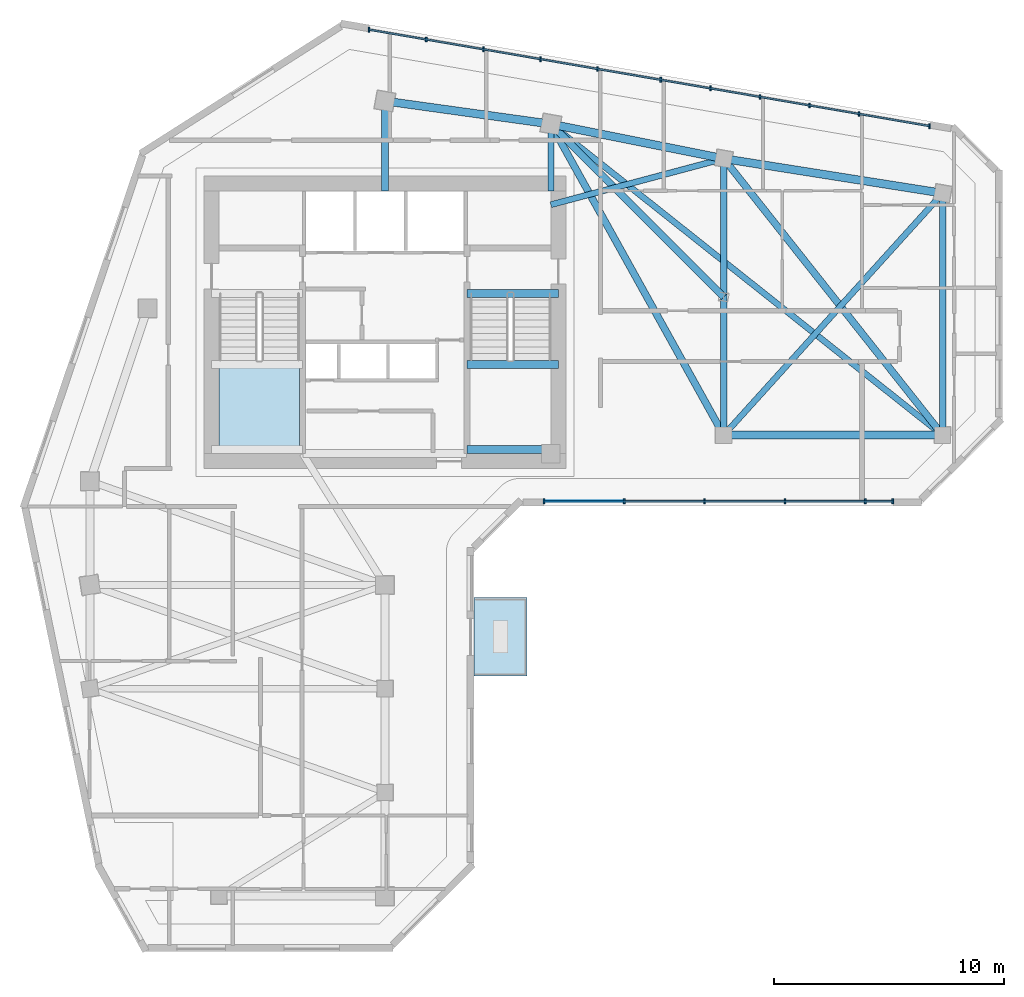
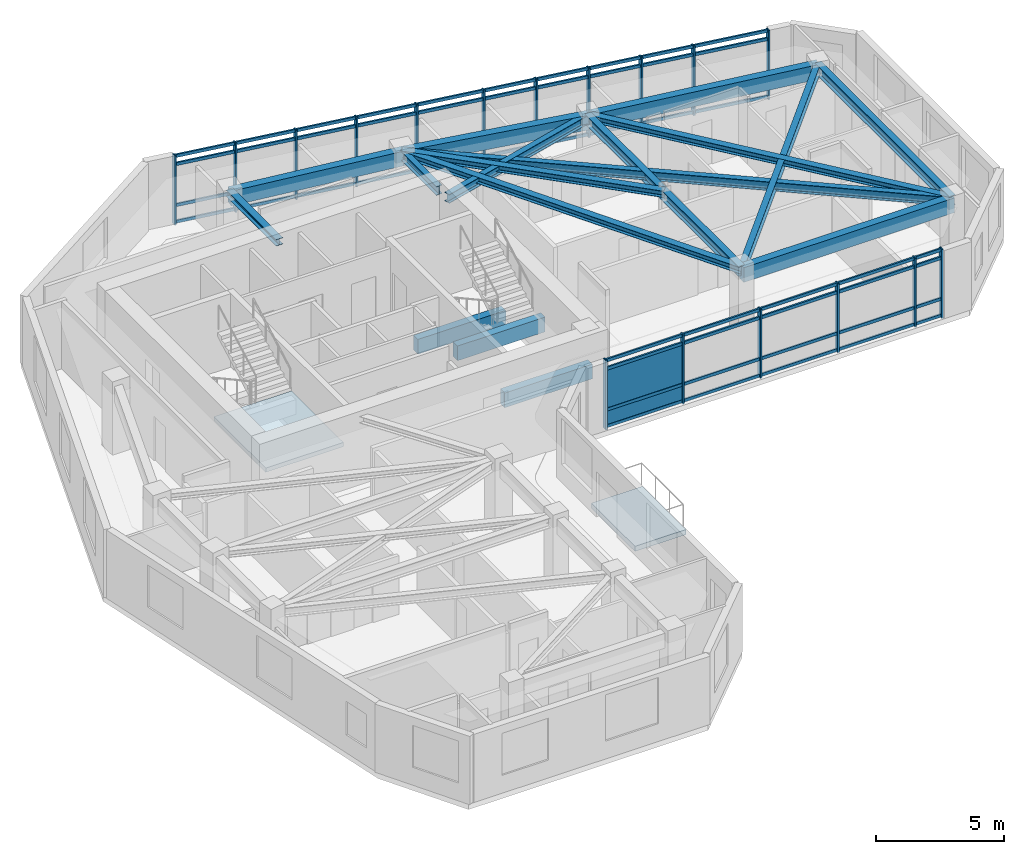
# One storey, part 2 of 10: 25 members, 17 beams, 2 plates, 2 slabs, 3 elements without a shape of their own.
"""IFC4 building model written with IfcOpenShell, lengths in metres."""

from ifc_helpers import new_model, si_unit, direction, frame, frame_2d, origin, origin_2d, place, context, subcontext, project, spatial, polyline, rectangle, i_section, outline, extrude, source, transform, mapped, material, layer, layer_set, material_profile, profile_set, type_object, element, aggregate, save


model = new_model("IFC4")

# Units and contexts
model_context = context("Model", 3, precision=1e-05, world=origin(), true_north=direction((0.0, 1.0)))
body_context = subcontext(model_context, "Body", "Model", "MODEL_VIEW")
ifc_project = project(units=[si_unit("LENGTHUNIT", "METRE"), si_unit("AREAUNIT", "SQUARE_METRE"), si_unit("VOLUMEUNIT", "CUBIC_METRE"), si_unit("PLANEANGLEUNIT", "RADIAN"), si_unit("MASSUNIT", "GRAM", prefix="KILO")], contexts=[model_context])

# Site, building, storey
site_placement = place(None, origin())
site = spatial("IfcSite", under=ifc_project, at=site_placement, CompositionType="ELEMENT")
building_placement = place(site_placement, origin())
building = spatial("IfcBuilding", under=site, at=building_placement, Name="Calvemar Wedge Station Tower", CompositionType="ELEMENT")
storey_placement = place(building_placement, frame((0.0, 0.0, 200.89990234375)))
storey = spatial("IfcBuildingStorey", under=building, at=storey_placement, Name="L50", CompositionType="ELEMENT", Elevation=200.89990234375)

# Beams
ifc_material_1 = material(Name="Structural steel ASTM A572 Grade 50", Category="steel")
ifc_material_profile_1 = material_profile(ifc_material_1, i_section(OverallWidth=0.304931640625, OverallDepth=0.30810546875, WebThickness=0.010009765625, FlangeThickness=0.015380859375, FilletRadius=0.014892578125, at=origin_2d()), Name="W310x97")
ifc_profile_set_1 = profile_set([ifc_material_profile_1], Name="Structural steel ASTM A572 Grade 50")
beam_type_1 = type_object("IfcBeamType", Name="BM-J6-W310", PredefinedType="JOIST", material=ifc_profile_set_1)
shared_shape_1 = source(origin(), body_context, "Body", "SweptSolid", [
    extrude(i_section(OverallWidth=0.304931640625, OverallDepth=0.30810546875, WebThickness=0.010009765625, FlangeThickness=0.015380859375, FilletRadius=0.014892578125, at=origin_2d()), origin(), (0.0, 0.0, 1.0), 15.443359375),
])
beam_1_placement = place(storey_placement, frame((31.0, 48.5, 3.09619140625), z_axis=(0.485642931179, -0.874157276122, 0.0), x_axis=(0.874157276122, 0.485642931179, 0.0)))
element("IfcBeam", 1, at=beam_1_placement, inside=storey, type_object=beam_type_1, Name="Storey L50 Floor Beam T-N2-T-NL2", PredefinedType="JOIST", context=body_context, shape_type="MappedRepresentation", body=[
    mapped(shared_shape_1, transform((0.0, 0.0, 0.0), scale=1.0)),
])
ifc_material_profile_2 = material_profile(ifc_material_1, i_section(OverallWidth=0.260986328125, OverallDepth=0.419921875, WebThickness=0.01171875, FlangeThickness=0.019287109375, FilletRadius=0.012939453125, at=origin_2d()), Name="W410x114")
ifc_profile_set_2 = profile_set([ifc_material_profile_2], Name="Structural steel ASTM A572 Grade 50")
beam_type_2 = type_object("IfcBeamType", Name="BM-J2-W410H", PredefinedType="JOIST", material=ifc_profile_set_2)
shared_shape_2 = source(origin(), body_context, "Body", "SweptSolid", [
    extrude(i_section(OverallWidth=0.260986328125, OverallDepth=0.419921875, WebThickness=0.01171875, FlangeThickness=0.019287109375, FilletRadius=0.012939453125, at=origin_2d()), origin(), (0.0, 0.0, 1.0), 21.708251953125),
])
beam_2_placement = place(storey_placement, frame((31.0, 48.5, 3.0400390625), z_axis=(0.783110847498, -0.621882143602, 0.0), x_axis=(0.621882143602, 0.783110847498, 0.0)))
element("IfcBeam", 2, at=beam_2_placement, inside=storey, type_object=beam_type_2, Name="Storey L50 Floor Beam T-N2-T-NL3", PredefinedType="JOIST", context=body_context, shape_type="MappedRepresentation", body=[
    mapped(shared_shape_2, transform((0.0, 0.0, 0.0), scale=1.0)),
])
shared_shape_3 = source(origin(), body_context, "Body", "SweptSolid", [
    extrude(i_section(OverallWidth=0.304931640625, OverallDepth=0.30810546875, WebThickness=0.010009765625, FlangeThickness=0.015380859375, FilletRadius=0.014892578125, at=origin_2d()), origin(), (0.0, 0.0, 1.0), 15.30517578125),
])
beam_3_placement = place(storey_placement, frame((38.5, 47.0, 3.09619140625), z_axis=(0.620702944366, -0.784045824462, 0.0), x_axis=(0.784045824462, 0.620702944366, 0.0)))
element("IfcBeam", 3, at=beam_3_placement, inside=storey, type_object=beam_type_1, Name="Storey L50 Floor Beam T-NU3-T-NL3", PredefinedType="JOIST", context=body_context, shape_type="MappedRepresentation", body=[
    mapped(shared_shape_3, transform((0.0, 0.0, 0.0), scale=1.0)),
])
shared_shape_4 = source(origin(), body_context, "Body", "SweptSolid", [
    extrude(i_section(OverallWidth=0.260986328125, OverallDepth=0.419921875, WebThickness=0.01171875, FlangeThickness=0.019287109375, FilletRadius=0.012939453125, at=origin_2d()), origin(), (0.0, 0.0, 1.0), 14.159912109375),
])
beam_4_placement = place(storey_placement, frame((38.5, 35.0, 3.0400390625), z_axis=(0.670913323969, 0.741535779124, 0.0), x_axis=(-0.741535779124, 0.670913323969, 0.0)))
element("IfcBeam", 4, at=beam_4_placement, inside=storey, type_object=beam_type_2, Name="Storey L50 Floor Beam T-NL2-T-NU4", PredefinedType="JOIST", context=body_context, shape_type="MappedRepresentation", body=[
    mapped(shared_shape_4, transform((0.0, 0.0, 0.0), scale=1.0)),
])
shared_shape_5 = source(origin(), body_context, "Body", "SweptSolid", [
    extrude(i_section(OverallWidth=0.260986328125, OverallDepth=0.419921875, WebThickness=0.01171875, FlangeThickness=0.019287109375, FilletRadius=0.012939453125, at=origin_2d()), origin(), (0.0, 0.0, 1.0), 7.76220703125),
])
beam_5_placement = place(storey_placement, frame((31.0, 45.0, 3.0400390625), z_axis=(0.966234939601, 0.25766265056, 0.0), x_axis=(-0.25766265056, 0.966234939601, 0.0)))
element("IfcBeam", 5, at=beam_5_placement, inside=storey, type_object=beam_type_2, Name="Storey L50 Core-to-Column Joist CJ-E2", PredefinedType="JOIST", context=body_context, shape_type="MappedRepresentation", body=[
    mapped(shared_shape_5, transform((0.0, 0.0, 0.0), scale=1.0)),
])
shared_shape_6 = source(origin(), body_context, "Body", "SweptSolid", [
    extrude(i_section(OverallWidth=0.304931640625, OverallDepth=0.30810546875, WebThickness=0.010009765625, FlangeThickness=0.015380859375, FilletRadius=0.014892578125, at=origin_2d()), origin(), (0.0, 0.0, 1.0), 3.89990234375),
])
beam_6_placement = place(storey_placement, frame((23.800048828125, 45.60009765625, 3.09619140625), z_axis=(0.0, 1.0, 0.0), x_axis=(-1.0, 0.0, 0.0)))
element("IfcBeam", 6, at=beam_6_placement, inside=storey, type_object=beam_type_1, Name="Storey L50 Core-to-Column Joist CJ-N1", PredefinedType="JOIST", context=body_context, shape_type="MappedRepresentation", body=[
    mapped(shared_shape_6, transform((0.0, 0.0, 0.0), scale=1.0)),
])
shared_shape_7 = source(origin(), body_context, "Body", "SweptSolid", [
    extrude(i_section(OverallWidth=0.260986328125, OverallDepth=0.419921875, WebThickness=0.01171875, FlangeThickness=0.019287109375, FilletRadius=0.012939453125, at=origin_2d()), origin(), (0.0, 0.0, 1.0), 2.89990234375),
])
beam_7_placement = place(storey_placement, frame((31.0, 45.60009765625, 3.0400390625), z_axis=(0.0, 1.0, 0.0), x_axis=(-1.0, 0.0, 0.0)))
element("IfcBeam", 7, at=beam_7_placement, inside=storey, type_object=beam_type_2, Name="Storey L50 Core-to-Column Joist CJ-N2", PredefinedType="JOIST", context=body_context, shape_type="MappedRepresentation", body=[
    mapped(shared_shape_7, transform((0.0, 0.0, 0.0), scale=1.0)),
])
shared_shape_8 = source(origin(), body_context, "Body", "SweptSolid", [
    extrude(i_section(OverallWidth=0.304931640625, OverallDepth=0.30810546875, WebThickness=0.010009765625, FlangeThickness=0.015380859375, FilletRadius=0.014892578125, at=origin_2d()), origin(), (0.0, 0.0, 1.0), 10.606689453125),
])
beam_8_placement = place(storey_placement, frame((38.5, 41.0, 3.09619140625), z_axis=(-0.707106781187, 0.707106781187, 0.0), x_axis=(-0.707106781187, -0.707106781187, 0.0)))
element("IfcBeam", 8, at=beam_8_placement, inside=storey, type_object=beam_type_1, Name="Storey L50 Floor Beam T-NTIP-B-T-N2", PredefinedType="JOIST", context=body_context, shape_type="MappedRepresentation", body=[
    mapped(shared_shape_8, transform((0.0, 0.0, 0.0), scale=1.0)),
])
ifc_material_2 = material(Name="Concrete C70", Category="concrete")
ifc_material_profile_3 = material_profile(ifc_material_2, rectangle(XDim=0.35009765625, YDim=0.699951171875, at=origin_2d()), Name="RC350x700")
ifc_profile_set_3 = profile_set([ifc_material_profile_3], Name="Concrete C70")
beam_type_3 = type_object("IfcBeamType", Name="BM-LN1-700", PredefinedType="LINTEL", material=ifc_profile_set_3)
shared_shape_9 = source(origin(), body_context, "Body", "SweptSolid", [
    extrude(rectangle(XDim=0.35009765625, YDim=0.699951171875, at=origin_2d()), origin(), (0.0, 0.0, 1.0), 3.954833984375),
])
for number, where, z_axis, x_axis, name in (
    (9, (27.3701171875, 41.14990234375, -0.349853515625), (1.0, 0.0, 0.0), (0.0, 1.0, 0.0), "Storey L50 Stair ST-C2 Landing Trimmer Beam"),
    (10, (27.3701171875, 34.3798828125, 1.2001953125), (1.0, 0.0, 0.0), (0.0, 1.0, 0.0), "Storey L50 Stair ST-C2 Half-Landing Beam 1A"),
    (11, (27.3701171875, 38.070068359375, 1.2001953125), (1.0, 0.0, 0.0), (0.0, 1.0, 0.0), "Storey L50 Stair ST-C2 Half-Landing Beam 1B"),
):
    element("IfcBeam", number, at=place(storey_placement, frame(where, z_axis=z_axis, x_axis=x_axis)), inside=storey, type_object=beam_type_3, Name=name, PredefinedType="LINTEL", context=body_context, shape_type="MappedRepresentation", body=[
        mapped(shared_shape_9, transform((0.0, 0.0, 0.0), scale=1.0)),
    ])
ifc_material_3 = material(Name="Concrete C50", Category="concrete")
ifc_material_profile_4 = material_profile(ifc_material_3, rectangle(XDim=0.35009765625, YDim=0.699951171875, at=origin_2d()), Name="RC350x700")
ifc_profile_set_4 = profile_set([ifc_material_profile_4], Name="Concrete C50")
beam_type_4 = type_object("IfcBeamType", Name="BM-SP2-700", PredefinedType="SPANDREL", material=ifc_profile_set_4)
shared_shape_10 = source(origin(), body_context, "Body", "SweptSolid", [
    extrude(rectangle(XDim=0.35009765625, YDim=0.699951171875, at=origin_2d()), origin(), (0.0, 0.0, 1.0), 7.26904296875),
])
beam_9_placement = place(storey_placement, frame((23.800048828125, 49.5, 2.900146484375), z_axis=(0.990492146053, -0.13756928657, 0.0), x_axis=(0.13756928657, 0.990492146053, 0.0)))
element("IfcBeam", 12, at=beam_9_placement, inside=storey, type_object=beam_type_4, Name="Storey L50 Spandrel T-N1-T-N2", PredefinedType="SPANDREL", context=body_context, shape_type="MappedRepresentation", body=[
    mapped(shared_shape_10, transform((0.0, 0.0, 0.0), scale=1.0)),
])
shared_shape_11 = source(origin(), body_context, "Body", "SweptSolid", [
    extrude(rectangle(XDim=0.35009765625, YDim=0.699951171875, at=origin_2d()), origin(), (0.0, 0.0, 1.0), 7.6484375),
])
beam_10_placement = place(storey_placement, frame((31.0, 48.5, 2.900146484375), z_axis=(0.980580675691, -0.196116135138, 0.0), x_axis=(0.196116135138, 0.980580675691, 0.0)))
element("IfcBeam", 13, at=beam_10_placement, inside=storey, type_object=beam_type_4, Name="Storey L50 Spandrel T-N2-T-NU3", PredefinedType="SPANDREL", context=body_context, shape_type="MappedRepresentation", body=[
    mapped(shared_shape_11, transform((0.0, 0.0, 0.0), scale=1.0)),
])
shared_shape_12 = source(origin(), body_context, "Body", "SweptSolid", [
    extrude(rectangle(XDim=0.35009765625, YDim=0.699951171875, at=origin_2d()), origin(), (0.0, 0.0, 1.0), 9.61767578125),
])
beam_11_placement = place(storey_placement, frame((38.5, 47.0, 2.900146484375), z_axis=(0.987762965329, -0.155962573473, 0.0), x_axis=(0.155962573473, 0.987762965329, 0.0)))
element("IfcBeam", 14, at=beam_11_placement, inside=storey, type_object=beam_type_4, Name="Storey L50 Spandrel T-NU3-T-NU4", PredefinedType="SPANDREL", context=body_context, shape_type="MappedRepresentation", body=[
    mapped(shared_shape_12, transform((0.0, 0.0, 0.0), scale=1.0)),
])
shared_shape_13 = source(origin(), body_context, "Body", "SweptSolid", [
    extrude(rectangle(XDim=0.35009765625, YDim=0.699951171875, at=origin_2d()), origin(), (0.0, 0.0, 1.0), 9.5),
])
beam_12_placement = place(storey_placement, frame((38.5, 35.0, 2.900146484375), z_axis=(1.0, 0.0, 0.0), x_axis=(0.0, 1.0, 0.0)))
element("IfcBeam", 15, at=beam_12_placement, inside=storey, type_object=beam_type_4, Name="Storey L50 Spandrel T-NL2-T-NL3", PredefinedType="SPANDREL", context=body_context, shape_type="MappedRepresentation", body=[
    mapped(shared_shape_13, transform((0.0, 0.0, 0.0), scale=1.0)),
])
ifc_material_profile_5 = material_profile(ifc_material_1, i_section(OverallWidth=0.283935546875, OverallDepth=0.47607421875, WebThickness=0.014892578125, FlangeThickness=0.02392578125, FilletRadius=0.014892578125, at=origin_2d()), Name="W460x158")
ifc_profile_set_5 = profile_set([ifc_material_profile_5], Name="Structural steel ASTM A572 Grade 50")
beam_type_5 = type_object("IfcBeamType", Name="BM-SB5-W460H", PredefinedType="BEAM", material=ifc_profile_set_5)
shared_shape_14 = source(origin(), body_context, "Body", "SweptSolid", [
    extrude(i_section(OverallWidth=0.283935546875, OverallDepth=0.47607421875, WebThickness=0.014892578125, FlangeThickness=0.02392578125, FilletRadius=0.014892578125, at=origin_2d()), origin(), (0.0, 0.0, 1.0), 12.0),
])
beam_13_placement = place(storey_placement, frame((38.5, 47.0, 3.01220703125), z_axis=(0.0, -1.0, 0.0), x_axis=(1.0, 0.0, 0.0)))
element("IfcBeam", 16, at=beam_13_placement, inside=storey, type_object=beam_type_5, Name="Storey L50 Floor Beam T-NU3-T-NL2", PredefinedType="BEAM", context=body_context, shape_type="MappedRepresentation", body=[
    mapped(shared_shape_14, transform((0.0, 0.0, 0.0), scale=1.0)),
])
shared_shape_15 = source(origin(), body_context, "Body", "SweptSolid", [
    extrude(i_section(OverallWidth=0.283935546875, OverallDepth=0.47607421875, WebThickness=0.014892578125, FlangeThickness=0.02392578125, FilletRadius=0.014892578125, at=origin_2d()), origin(), (0.0, 0.0, 1.0), 10.5),
])
beam_14_placement = place(storey_placement, frame((48.0, 45.5, 3.01220703125), z_axis=(0.0, -1.0, 0.0), x_axis=(1.0, 0.0, 0.0)))
element("IfcBeam", 17, at=beam_14_placement, inside=storey, type_object=beam_type_5, Name="Storey L50 Floor Beam T-NU4-T-NL3", PredefinedType="BEAM", context=body_context, shape_type="MappedRepresentation", body=[
    mapped(shared_shape_15, transform((0.0, 0.0, 0.0), scale=1.0)),
])

# Curtain wall, members
ifc_material_4 = material(Name="Anodised aluminium 6063-T6", Category="aluminium")
curtain_wall_type = type_object("IfcCurtainWallType", Name="CW3", PredefinedType="NOTDEFINED", material=ifc_material_4)
curtain_wall_1_placement = place(storey_placement, origin())
curtain_wall_1 = element("IfcCurtainWall", 18, at=curtain_wall_1_placement, inside=storey, type_object=curtain_wall_type, Name="Storey L50 CW3 Recessed Unitised Curtain Wall 6", PredefinedType="NOTDEFINED")
ifc_material_profile_6 = material_profile(ifc_material_4, rectangle(XDim=0.074951171875, YDim=0.2099609375, at=origin_2d()), Name="AL-MUL-75x210")
ifc_profile_set_6 = profile_set([ifc_material_profile_6], Name="Anodised aluminium 6063-T6")
member_type_1 = type_object("IfcMemberType", Name="CW3-MUL", PredefinedType="MULLION", material=ifc_profile_set_6)
shared_shape_16 = source(origin(), body_context, "Body", "SweptSolid", [
    extrude(rectangle(XDim=0.074951171875, YDim=0.2099609375, at=origin_2d()), origin(), (0.0, 0.0, 1.0), 3.2998046875),
])
member_1_placement = place(storey_placement, frame((30.701904296875, 32.134033203125, -0.0498046875), z_axis=(0.0, 0.0, 1.0), x_axis=(1.0, 0.0, 0.0)))
member_1 = element("IfcMember", 19, at=member_1_placement, type_object=member_type_1, Name="CW3 mullion 1", PredefinedType="MULLION", context=body_context, shape_type="MappedRepresentation", body=[
    mapped(shared_shape_16, transform((0.0, 0.0, 0.0), scale=1.0)),
])
member_2_placement = place(storey_placement, frame((34.186279296875, 32.134033203125, -0.0498046875), z_axis=(0.0, 0.0, 1.0), x_axis=(1.0, 0.0, 0.0)))
member_2 = element("IfcMember", 20, at=member_2_placement, type_object=member_type_1, Name="CW3 mullion 2", PredefinedType="MULLION", context=body_context, shape_type="MappedRepresentation", body=[
    mapped(shared_shape_16, transform((0.0, 0.0, 0.0), scale=1.0)),
])
member_3_placement = place(storey_placement, frame((37.6708984375, 32.134033203125, -0.0498046875), z_axis=(0.0, 0.0, 1.0), x_axis=(1.0, 0.0, 0.0)))
member_3 = element("IfcMember", 21, at=member_3_placement, type_object=member_type_1, Name="CW3 mullion 3", PredefinedType="MULLION", context=body_context, shape_type="MappedRepresentation", body=[
    mapped(shared_shape_16, transform((0.0, 0.0, 0.0), scale=1.0)),
])
member_4_placement = place(storey_placement, frame((41.155517578125, 32.134033203125, -0.0498046875), z_axis=(0.0, 0.0, 1.0), x_axis=(1.0, 0.0, 0.0)))
member_4 = element("IfcMember", 22, at=member_4_placement, type_object=member_type_1, Name="CW3 mullion 4", PredefinedType="MULLION", context=body_context, shape_type="MappedRepresentation", body=[
    mapped(shared_shape_16, transform((0.0, 0.0, 0.0), scale=1.0)),
])
member_5_placement = place(storey_placement, frame((44.639892578125, 32.134033203125, -0.0498046875), z_axis=(0.0, 0.0, 1.0), x_axis=(1.0, 0.0, 0.0)))
member_5 = element("IfcMember", 23, at=member_5_placement, type_object=member_type_1, Name="CW3 mullion 5", PredefinedType="MULLION", context=body_context, shape_type="MappedRepresentation", body=[
    mapped(shared_shape_16, transform((0.0, 0.0, 0.0), scale=1.0)),
])
member_6_placement = place(storey_placement, frame((45.837890625, 32.134033203125, -0.0498046875), z_axis=(0.0, 0.0, 1.0), x_axis=(1.0, 0.0, 0.0)))
member_6 = element("IfcMember", 24, at=member_6_placement, type_object=member_type_1, Name="CW3 mullion 6", PredefinedType="MULLION", context=body_context, shape_type="MappedRepresentation", body=[
    mapped(shared_shape_16, transform((0.0, 0.0, 0.0), scale=1.0)),
])

curtain_wall_2_placement = place(storey_placement, origin())
curtain_wall_2 = element("IfcCurtainWall", 25, at=curtain_wall_2_placement, inside=storey, type_object=curtain_wall_type, Name="Storey L50 CW3 Recessed Unitised Curtain Wall 10", PredefinedType="NOTDEFINED")
member_7_placement = place(storey_placement, frame((47.433349609375, 48.41162109375, -0.0498046875), z_axis=(0.0, 0.0, 1.0), x_axis=(1.0, 0.0, 0.0)))
member_7 = element("IfcMember", 26, at=member_7_placement, type_object=member_type_1, Name="CW3 mullion 1", PredefinedType="MULLION", context=body_context, shape_type="MappedRepresentation", body=[
    mapped(shared_shape_16, transform((0.0, 0.0, 0.0), scale=1.0)),
])
member_8_placement = place(storey_placement, frame((44.371337890625, 48.9384765625, -0.0498046875), z_axis=(0.0, 0.0, 1.0), x_axis=(1.0, 0.0, 0.0)))
member_8 = element("IfcMember", 27, at=member_8_placement, type_object=member_type_1, Name="CW3 mullion 2", PredefinedType="MULLION", context=body_context, shape_type="MappedRepresentation", body=[
    mapped(shared_shape_16, transform((0.0, 0.0, 0.0), scale=1.0)),
])
member_9_placement = place(storey_placement, frame((42.221435546875, 49.30810546875, -0.0498046875), z_axis=(0.0, 0.0, 1.0), x_axis=(1.0, 0.0, 0.0)))
member_9 = element("IfcMember", 28, at=member_9_placement, type_object=member_type_1, Name="CW3 mullion 3", PredefinedType="MULLION", context=body_context, shape_type="MappedRepresentation", body=[
    mapped(shared_shape_16, transform((0.0, 0.0, 0.0), scale=1.0)),
])
member_10_placement = place(storey_placement, frame((40.0712890625, 49.677978515625, -0.0498046875), z_axis=(0.0, 0.0, 1.0), x_axis=(1.0, 0.0, 0.0)))
member_10 = element("IfcMember", 29, at=member_10_placement, type_object=member_type_1, Name="CW3 mullion 4", PredefinedType="MULLION", context=body_context, shape_type="MappedRepresentation", body=[
    mapped(shared_shape_16, transform((0.0, 0.0, 0.0), scale=1.0)),
])
member_11_placement = place(storey_placement, frame((37.92138671875, 50.048095703125, -0.0498046875), z_axis=(0.0, 0.0, 1.0), x_axis=(1.0, 0.0, 0.0)))
member_11 = element("IfcMember", 30, at=member_11_placement, type_object=member_type_1, Name="CW3 mullion 5", PredefinedType="MULLION", context=body_context, shape_type="MappedRepresentation", body=[
    mapped(shared_shape_16, transform((0.0, 0.0, 0.0), scale=1.0)),
])
member_12_placement = place(storey_placement, frame((35.771240234375, 50.417724609375, -0.0498046875), z_axis=(0.0, 0.0, 1.0), x_axis=(1.0, 0.0, 0.0)))
member_12 = element("IfcMember", 31, at=member_12_placement, type_object=member_type_1, Name="CW3 mullion 6", PredefinedType="MULLION", context=body_context, shape_type="MappedRepresentation", body=[
    mapped(shared_shape_16, transform((0.0, 0.0, 0.0), scale=1.0)),
])
member_13_placement = place(storey_placement, frame((33.021240234375, 50.890869140625, -0.0498046875), z_axis=(0.0, 0.0, 1.0), x_axis=(1.0, 0.0, 0.0)))
member_13 = element("IfcMember", 32, at=member_13_placement, type_object=member_type_1, Name="CW3 mullion 7", PredefinedType="MULLION", context=body_context, shape_type="MappedRepresentation", body=[
    mapped(shared_shape_16, transform((0.0, 0.0, 0.0), scale=1.0)),
])
member_14_placement = place(storey_placement, frame((30.54638671875, 51.316650390625, -0.0498046875), z_axis=(0.0, 0.0, 1.0), x_axis=(1.0, 0.0, 0.0)))
member_14 = element("IfcMember", 33, at=member_14_placement, type_object=member_type_1, Name="CW3 mullion 8", PredefinedType="MULLION", context=body_context, shape_type="MappedRepresentation", body=[
    mapped(shared_shape_16, transform((0.0, 0.0, 0.0), scale=1.0)),
])
member_15_placement = place(storey_placement, frame((28.0712890625, 51.742431640625, -0.0498046875), z_axis=(0.0, 0.0, 1.0), x_axis=(1.0, 0.0, 0.0)))
member_15 = element("IfcMember", 34, at=member_15_placement, type_object=member_type_1, Name="CW3 mullion 9", PredefinedType="MULLION", context=body_context, shape_type="MappedRepresentation", body=[
    mapped(shared_shape_16, transform((0.0, 0.0, 0.0), scale=1.0)),
])
member_16_placement = place(storey_placement, frame((25.58837890625, 52.169677734375, -0.0498046875), z_axis=(0.0, 0.0, 1.0), x_axis=(1.0, 0.0, 0.0)))
member_16 = element("IfcMember", 35, at=member_16_placement, type_object=member_type_1, Name="CW3 mullion 10", PredefinedType="MULLION", context=body_context, shape_type="MappedRepresentation", body=[
    mapped(shared_shape_16, transform((0.0, 0.0, 0.0), scale=1.0)),
])
member_17_placement = place(storey_placement, frame((23.105712890625, 52.5966796875, -0.0498046875), z_axis=(0.0, 0.0, 1.0), x_axis=(1.0, 0.0, 0.0)))
member_17 = element("IfcMember", 36, at=member_17_placement, type_object=member_type_1, Name="CW3 mullion 11", PredefinedType="MULLION", context=body_context, shape_type="MappedRepresentation", body=[
    mapped(shared_shape_16, transform((0.0, 0.0, 0.0), scale=1.0)),
])
ifc_material_profile_7 = material_profile(ifc_material_4, rectangle(XDim=0.074951171875, YDim=0.14501953125, at=origin_2d()), Name="AL-TRN-75x145")
ifc_profile_set_7 = profile_set([ifc_material_profile_7], Name="Anodised aluminium 6063-T6")
member_type_2 = type_object("IfcMemberType", Name="CW3-TRN", PredefinedType="USERDEFINED", material=ifc_profile_set_7)
shared_shape_17 = source(origin(), body_context, "Body", "SweptSolid", [
    extrude(rectangle(XDim=0.074951171875, YDim=0.14501953125, at=origin_2d()), origin(), (0.0, 0.0, 1.0), 24.68505859375),
])
member_18_placement = place(storey_placement, frame((47.433349609375, 48.41162109375, 0.06005859375), z_axis=(-0.985523545507, 0.16953861286, 0.0), x_axis=(-0.16953861286, -0.985523545507, 0.0)))
member_18 = element("IfcMember", 37, at=member_18_placement, type_object=member_type_2, Name="CW3 transom 1", ObjectType="TRANSOM", PredefinedType="USERDEFINED", context=body_context, shape_type="MappedRepresentation", body=[
    mapped(shared_shape_17, transform((0.0, 0.0, 0.0), scale=1.0)),
])
member_19_placement = place(storey_placement, frame((47.433349609375, 48.41162109375, 0.85009765625), z_axis=(-0.985523545507, 0.16953861286, 0.0), x_axis=(-0.16953861286, -0.985523545507, 0.0)))
member_19 = element("IfcMember", 38, at=member_19_placement, type_object=member_type_2, Name="CW3 transom 2", ObjectType="TRANSOM", PredefinedType="USERDEFINED", context=body_context, shape_type="MappedRepresentation", body=[
    mapped(shared_shape_17, transform((0.0, 0.0, 0.0), scale=1.0)),
])
member_20_placement = place(storey_placement, frame((47.433349609375, 48.41162109375, 2.800048828125), z_axis=(-0.985523545507, 0.16953861286, 0.0), x_axis=(-0.16953861286, -0.985523545507, 0.0)))
member_20 = element("IfcMember", 39, at=member_20_placement, type_object=member_type_2, Name="CW3 transom 3", ObjectType="TRANSOM", PredefinedType="USERDEFINED", context=body_context, shape_type="MappedRepresentation", body=[
    mapped(shared_shape_17, transform((0.0, 0.0, 0.0), scale=1.0)),
])
member_21_placement = place(storey_placement, frame((47.433349609375, 48.41162109375, 3.190185546875), z_axis=(-0.985523545507, 0.16953861286, 0.0), x_axis=(-0.16953861286, -0.985523545507, 0.0)))
member_21 = element("IfcMember", 40, at=member_21_placement, type_object=member_type_2, Name="CW3 transom 4", ObjectType="TRANSOM", PredefinedType="USERDEFINED", context=body_context, shape_type="MappedRepresentation", body=[
    mapped(shared_shape_17, transform((0.0, 0.0, 0.0), scale=1.0)),
])
aggregate(curtain_wall_2, [member_7, member_8, member_9, member_10, member_11, member_12, member_13, member_14, member_15, member_16, member_17, member_18, member_19, member_20, member_21])

# Member
shared_shape_18 = source(origin(), body_context, "Body", "SweptSolid", [
    extrude(rectangle(XDim=0.074951171875, YDim=0.14501953125, at=origin_2d()), origin(), (0.0, 0.0, 1.0), 15.135986328125),
])
member_22_placement = place(storey_placement, frame((30.701904296875, 32.134033203125, 0.06005859375), z_axis=(1.0, 0.0, 0.0), x_axis=(0.0, 1.0, 0.0)))
member_22 = element("IfcMember", 41, at=member_22_placement, type_object=member_type_2, Name="CW3 transom 1", ObjectType="TRANSOM", PredefinedType="USERDEFINED", context=body_context, shape_type="MappedRepresentation", body=[
    mapped(shared_shape_18, transform((0.0, 0.0, 0.0), scale=1.0)),
])

member_23_placement = place(storey_placement, frame((30.701904296875, 32.134033203125, 0.85009765625), z_axis=(1.0, 0.0, 0.0), x_axis=(0.0, 1.0, 0.0)))
member_23 = element("IfcMember", 42, at=member_23_placement, type_object=member_type_2, Name="CW3 transom 2", ObjectType="TRANSOM", PredefinedType="USERDEFINED", context=body_context, shape_type="MappedRepresentation", body=[
    mapped(shared_shape_18, transform((0.0, 0.0, 0.0), scale=1.0)),
])

member_24_placement = place(storey_placement, frame((30.701904296875, 32.134033203125, 2.800048828125), z_axis=(1.0, 0.0, 0.0), x_axis=(0.0, 1.0, 0.0)))
member_24 = element("IfcMember", 43, at=member_24_placement, type_object=member_type_2, Name="CW3 transom 3", ObjectType="TRANSOM", PredefinedType="USERDEFINED", context=body_context, shape_type="MappedRepresentation", body=[
    mapped(shared_shape_18, transform((0.0, 0.0, 0.0), scale=1.0)),
])

member_25_placement = place(storey_placement, frame((30.701904296875, 32.134033203125, 3.190185546875), z_axis=(1.0, 0.0, 0.0), x_axis=(0.0, 1.0, 0.0)))
member_25 = element("IfcMember", 44, at=member_25_placement, type_object=member_type_2, Name="CW3 transom 4", ObjectType="TRANSOM", PredefinedType="USERDEFINED", context=body_context, shape_type="MappedRepresentation", body=[
    mapped(shared_shape_18, transform((0.0, 0.0, 0.0), scale=1.0)),
])

# Plate
ifc_material_5 = material(Name="Low-E laminated insulated glass", Category="glass")
ifc_layer_1 = layer(ifc_material_5, 0.028076171875)
ifc_layer_set_1 = layer_set([ifc_layer_1], Name="Low-E laminated insulated glass")
plate_type_1 = type_object("IfcPlateType", Name="CW3-GLZ", PredefinedType="CURTAIN_PANEL", material=ifc_layer_set_1)
plate_1_placement = place(storey_placement, frame((30.719970703125, 32.134033203125, 0.8701171875), z_axis=(0.0, 0.0, 1.0), x_axis=(1.0, 0.0, 0.0)))
plate_1 = element("IfcPlate", 45, at=plate_1_placement, type_object=plate_type_1, Name="CW3 vision glass panel 1", PredefinedType="CURTAIN_PANEL", context=body_context, shape_type="SweptSolid", body=[
    extrude(rectangle(XDim=3.448486328125, YDim=0.028076171875, at=frame_2d((1.72412109375, 0.0))), origin(), (0.0, 0.0, 1.0), 1.909912109375),
])

ifc_material_6 = material(Name="Oxidized bronze aluminium spandrel panel 5005-H24", Category="aluminium")
ifc_layer_2 = layer(ifc_material_6, 0.0400390625)
ifc_layer_set_2 = layer_set([ifc_layer_2], Name="Oxidized bronze aluminium spandrel panel 5005-H24")
plate_type_2 = type_object("IfcPlateType", Name="CW3-SPD", PredefinedType="SHEET", material=ifc_layer_set_2)
plate_2_placement = place(storey_placement, frame((30.719970703125, 32.134033203125, 0.080078125), z_axis=(0.0, 0.0, 1.0), x_axis=(1.0, 0.0, 0.0)))
plate_2 = element("IfcPlate", 46, at=plate_2_placement, type_object=plate_type_2, Name="CW3 bronze spandrel panel 1", PredefinedType="SHEET", context=body_context, shape_type="SweptSolid", body=[
    extrude(rectangle(XDim=3.448486328125, YDim=0.0400390625, at=frame_2d((1.72412109375, 0.0))), origin(), (0.0, 0.0, 1.0), 0.75),
])

aggregate(curtain_wall_1, [member_1, member_2, member_3, member_4, member_5, member_6, member_22, member_23, member_24, member_25, plate_2, plate_1])

# Stair, slab
ifc_material_7 = material(Name="Concrete C45", Category="concrete")
stair_type = type_object("IfcStairType", Name="ST-TYPE-3500", PredefinedType="HALF_TURN_STAIR", material=ifc_material_7)
stair_placement = place(storey_placement, origin())
stair = element("IfcStair", 47, at=stair_placement, inside=storey, type_object=stair_type, Name="L50 Pressurized Core Exit Stair ST-C1", PredefinedType="HALF_TURN_STAIR")
ifc_layer_3 = layer(ifc_material_7, 0.199951171875)
ifc_layer_set_3 = layer_set([ifc_layer_3], Name="Concrete C45")
slab_type_1 = type_object("IfcSlabType", Name="SL-STAIR-LND-200", PredefinedType="LANDING", material=ifc_layer_set_3)
slab_1_placement = place(storey_placement, frame((0.0, 0.0, 1.550048828125)))
slab_1 = element("IfcSlab", 48, at=slab_1_placement, type_object=slab_type_1, Name="ST-C1 landing 1", PredefinedType="LANDING", context=body_context, shape_type="SweptSolid", body=[
    extrude(outline(polyline([(16.60009765625, 38.25), (16.60009765625, 34.199951171875), (20.10009765625, 34.199951171875), (20.10009765625, 38.25), (16.60009765625, 38.25)])), origin(), (0.0, 0.0, 1.0), 0.199951171875),
])
aggregate(stair, [slab_1])

# Slab
ifc_layer_4 = layer(ifc_material_7, 0.239990234375)
ifc_layer_set_4 = layer_set([ifc_layer_4], Name="Concrete C45")
slab_type_2 = type_object("IfcSlabType", Name="SL-TERR-240", PredefinedType="FLOOR", material=ifc_layer_set_4)
slab_2_placement = place(storey_placement, frame((0.0, 0.0, -0.239990234375)))
element("IfcSlab", 49, at=slab_2_placement, inside=storey, type_object=slab_type_2, Name="Storey L50 Planted Spiral Terrace Slab", PredefinedType="FLOOR", context=body_context, shape_type="SweptSolid", body=[
    extrude(outline(polyline([(27.6640625, 24.550048828125), (29.964111328125, 24.550048828125), (29.964111328125, 27.949951171875), (27.6640625, 27.949951171875), (27.6640625, 24.550048828125)])), origin(), (0.0, 0.0, 1.0), 0.239990234375),
])

save(model, "model.ifc")
